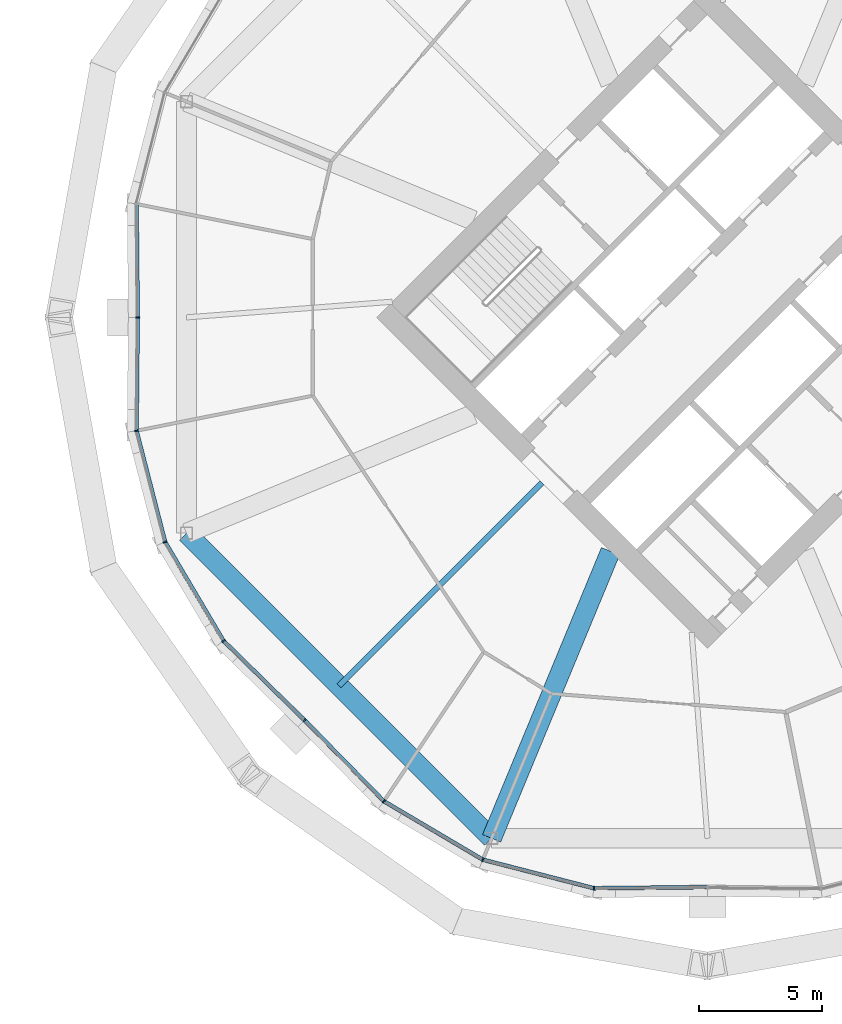
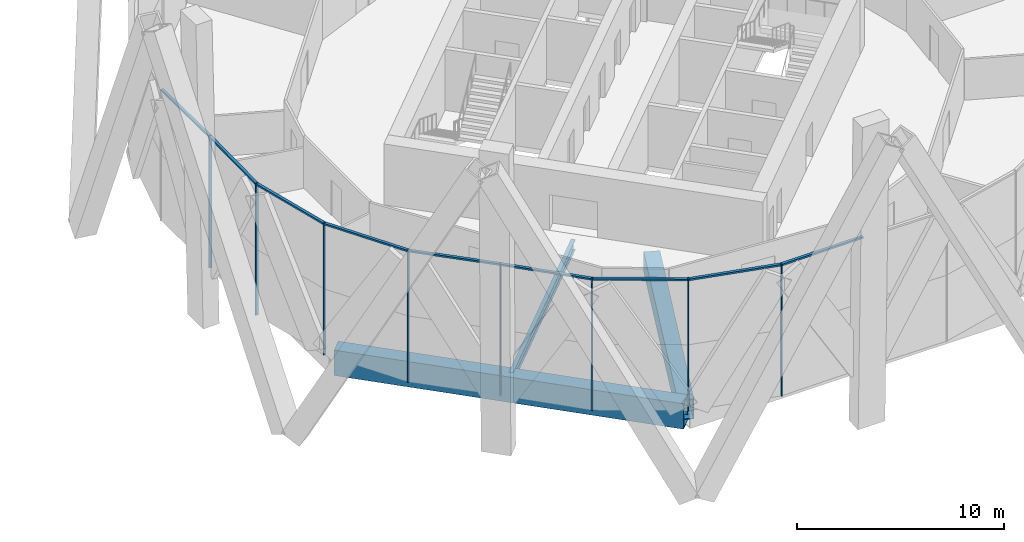
# One storey, part 10 of 31: 17 members, 3 beams, 3 elements without a shape of their own.
"""IFC4 building model written with IfcOpenShell, lengths in metres."""

from ifc_helpers import new_model, si_unit, direction, frame, origin, origin_2d, place, context, subcontext, project, spatial, rectangle, hollow_rectangle, i_section, extrude, material, material_profile, profile_set, type_object, element, aggregate, save


model = new_model("IFC4")

# Units and contexts
model_context = context("Model", 3, precision=1e-05, world=origin(), true_north=direction((0.0, 1.0)))
body_context = subcontext(model_context, "Body", "Model", "MODEL_VIEW")
ifc_project = project(units=[si_unit("LENGTHUNIT", "METRE"), si_unit("AREAUNIT", "SQUARE_METRE"), si_unit("VOLUMEUNIT", "CUBIC_METRE"), si_unit("PLANEANGLEUNIT", "RADIAN"), si_unit("MASSUNIT", "GRAM", prefix="KILO")], contexts=[model_context])

# Site, building, storey
site_placement = place(None, origin())
site = spatial("IfcSite", under=ifc_project, at=site_placement, CompositionType="ELEMENT")
building_placement = place(site_placement, origin())
building = spatial("IfcBuilding", under=site, at=building_placement, Name="Ogive Gate Towers", CompositionType="ELEMENT")
storey_placement = place(building_placement, frame((0.0, 0.0, 55.800048828125)))
storey = spatial("IfcBuildingStorey", under=building, at=storey_placement, Name="L12", CompositionType="ELEMENT", Elevation=55.800048828125)

# Beams
ifc_material_1 = material(Name="Steel SM460", Category="steel")
ifc_material_profile_1 = material_profile(ifc_material_1, hollow_rectangle(XDim=0.800048828125, YDim=1.5, WallThickness=0.06005859375, at=origin_2d()), Name="BX 1500x800x60")
ifc_profile_set_1 = profile_set([ifc_material_profile_1], Name="Steel SM460")
beam_type_1 = type_object("IfcBeamType", Name="Edge girder BX 1500x800x60", PredefinedType="BEAM", material=ifc_profile_set_1)
beam_1_placement = place(storey_placement, frame((14.84326171875, -8.763427734375, -1.050048828125), z_axis=(0.707106781187, -0.707106781187, 0.0), x_axis=(0.707106781187, 0.707106781187, 0.0)))
element("IfcBeam", 1, at=beam_1_placement, inside=storey, type_object=beam_type_1, Name="T2/L12/SBM017", PredefinedType="BEAM", context=body_context, shape_type="SweptSolid", body=[
    extrude(hollow_rectangle(XDim=0.800048828125, YDim=1.5, WallThickness=0.06005859375, at=origin_2d()), origin(), (0.0, 0.0, 1.0), 17.52685546875),
])
ifc_material_2 = material(Name="Steel SM355", Category="steel")
ifc_material_profile_2 = material_profile(ifc_material_2, i_section(OverallWidth=0.219970703125, OverallDepth=0.60009765625, WebThickness=0.011962890625, FlangeThickness=0.01904296875, FilletRadius=0.02392578125, at=origin_2d()), Name="IPE 600")
ifc_profile_set_2 = profile_set([ifc_material_profile_2], Name="Steel SM355")
beam_type_2 = type_object("IfcBeamType", Name="Radial floor beam IPE 600", PredefinedType="BEAM", material=ifc_profile_set_2)
beam_2_placement = place(storey_placement, frame((29.282470703125, -6.717529296875, -0.60009765625), z_axis=(-0.707106781187, -0.707106781187, 0.0), x_axis=(0.707106781187, -0.707106781187, 0.0)))
element("IfcBeam", 2, at=beam_2_placement, inside=storey, type_object=beam_type_2, Name="T2/L12/SBM002", PredefinedType="BEAM", context=body_context, shape_type="SweptSolid", body=[
    extrude(i_section(OverallWidth=0.219970703125, OverallDepth=0.60009765625, WebThickness=0.011962890625, FlangeThickness=0.01904296875, FilletRadius=0.02392578125, at=origin_2d()), origin(), (0.0, 0.0, 1.0), 11.656982421875),
])

# Curtain wall, member
ifc_material_3 = material(Name="Pale metal aluminium", Category="aluminium")
curtain_wall_type = type_object("IfcCurtainWallType", Name="Tower unitised wall, low zone", PredefinedType="NOTDEFINED", material=ifc_material_3)
curtain_wall_1_placement = place(storey_placement, origin())
curtain_wall_1 = element("IfcCurtainWall", 3, at=curtain_wall_1_placement, inside=storey, type_object=curtain_wall_type, Name="CW1 T2 ECW04", PredefinedType="NOTDEFINED")
ifc_material_profile_3 = material_profile(ifc_material_3, rectangle(XDim=0.159912109375, YDim=0.06005859375, at=origin_2d()), Name="60 x 160 aluminium box")
ifc_profile_set_3 = profile_set([ifc_material_profile_3], Name="Pale metal aluminium")
member_type_1 = type_object("IfcMemberType", Name="Tower unitised wall, low zone mullion 60 x 160", PredefinedType="MULLION", material=ifc_profile_set_3)
member_1_placement = place(storey_placement, frame((12.860107421875, 0.000244140625, -0.300048828125), z_axis=(0.0, 0.0, 1.0), x_axis=(-0.999947161375, -0.010279808233, 0.0)))
member_1 = element("IfcMember", 4, at=member_1_placement, type_object=member_type_1, Name="CW1 mullion", PredefinedType="MULLION", context=body_context, shape_type="SweptSolid", body=[
    extrude(rectangle(XDim=0.159912109375, YDim=0.06005859375, at=origin_2d()), origin(), (0.0, 0.0, 1.0), 7.800048828125),
])

# Curtain wall, members
curtain_wall_2_placement = place(storey_placement, origin())
curtain_wall_2 = element("IfcCurtainWall", 5, at=curtain_wall_2_placement, inside=storey, type_object=curtain_wall_type, Name="CW1 T2 ECW05", PredefinedType="NOTDEFINED")
member_2_placement = place(storey_placement, frame((12.8125, -4.606201171875, -0.300048828125), z_axis=(0.0, 0.0, 1.0), x_axis=(-0.992727957326, -0.120379411626, 0.0)))
member_2 = element("IfcMember", 6, at=member_2_placement, type_object=member_type_1, Name="CW1 mullion", PredefinedType="MULLION", context=body_context, shape_type="SweptSolid", body=[
    extrude(rectangle(XDim=0.159912109375, YDim=0.06005859375, at=origin_2d()), origin(), (0.0, 0.0, 1.0), 7.800048828125),
])
member_3_placement = place(storey_placement, frame((13.973876953125, -9.12353515625, -0.300048828125), z_axis=(0.0, 0.0, 1.0), x_axis=(-0.923879532511, -0.382683432365, 0.0)))
member_3 = element("IfcMember", 7, at=member_3_placement, type_object=member_type_1, Name="CW1 mullion", PredefinedType="MULLION", context=body_context, shape_type="SweptSolid", body=[
    extrude(rectangle(XDim=0.159912109375, YDim=0.06005859375, at=origin_2d()), origin(), (0.0, 0.0, 1.0), 7.800048828125),
])
member_4_placement = place(storey_placement, frame((16.346923828125, -13.13916015625, -0.300048828125), z_axis=(0.0, 0.0, 1.0), x_axis=(-0.787085768775, -0.616843572223, 0.0)))
member_4 = element("IfcMember", 8, at=member_4_placement, type_object=member_type_1, Name="CW1 mullion", PredefinedType="MULLION", context=body_context, shape_type="SweptSolid", body=[
    extrude(rectangle(XDim=0.159912109375, YDim=0.06005859375, at=origin_2d()), origin(), (0.0, 0.0, 1.0), 7.800048828125),
])
member_5_placement = place(storey_placement, frame((19.637451171875, -16.3623046875, -0.300048828125), z_axis=(0.0, 0.0, 1.0), x_axis=(-0.699788028863, -0.714350554462, 0.0)))
member_5 = element("IfcMember", 9, at=member_5_placement, type_object=member_type_1, Name="CW1 mullion", PredefinedType="MULLION", context=body_context, shape_type="SweptSolid", body=[
    extrude(rectangle(XDim=0.159912109375, YDim=0.06005859375, at=origin_2d()), origin(), (0.0, 0.0, 1.0), 7.800048828125),
])

curtain_wall_3_placement = place(storey_placement, origin())
curtain_wall_3 = element("IfcCurtainWall", 10, at=curtain_wall_3_placement, inside=storey, type_object=curtain_wall_type, Name="CW1 T2 ECW06", PredefinedType="NOTDEFINED")
member_6_placement = place(storey_placement, frame((22.86083984375, -19.653076171875, -0.300048828125), z_axis=(0.0, 0.0, 1.0), x_axis=(-0.616843572223, -0.787085768775, 0.0)))
member_6 = element("IfcMember", 11, at=member_6_placement, type_object=member_type_1, Name="CW1 mullion", PredefinedType="MULLION", context=body_context, shape_type="SweptSolid", body=[
    extrude(rectangle(XDim=0.159912109375, YDim=0.06005859375, at=origin_2d()), origin(), (0.0, 0.0, 1.0), 7.800048828125),
])
member_7_placement = place(storey_placement, frame((26.87646484375, -22.026123046875, -0.300048828125), z_axis=(0.0, 0.0, 1.0), x_axis=(-0.382683432365, -0.923879532511, 0.0)))
member_7 = element("IfcMember", 12, at=member_7_placement, type_object=member_type_1, Name="CW1 mullion", PredefinedType="MULLION", context=body_context, shape_type="SweptSolid", body=[
    extrude(rectangle(XDim=0.159912109375, YDim=0.06005859375, at=origin_2d()), origin(), (0.0, 0.0, 1.0), 7.800048828125),
])
member_8_placement = place(storey_placement, frame((31.393798828125, -23.1875, -0.300048828125), z_axis=(0.0, 0.0, 1.0), x_axis=(-0.120379411626, -0.992727957326, 0.0)))
member_8 = element("IfcMember", 13, at=member_8_placement, type_object=member_type_1, Name="CW1 mullion", PredefinedType="MULLION", context=body_context, shape_type="SweptSolid", body=[
    extrude(rectangle(XDim=0.159912109375, YDim=0.06005859375, at=origin_2d()), origin(), (0.0, 0.0, 1.0), 7.800048828125),
])

# Member
ifc_material_profile_4 = material_profile(ifc_material_3, rectangle(XDim=0.159912109375, YDim=0.10009765625, at=origin_2d()), Name="100 x 160 aluminium box")
ifc_profile_set_4 = profile_set([ifc_material_profile_4], Name="Pale metal aluminium")
member_type_2 = type_object("IfcMemberType", Name="Tower unitised wall, low zone transom 100 x 160", PredefinedType="USERDEFINED", material=ifc_profile_set_4)
member_9_placement = place(storey_placement, frame((12.81298828125, 4.57861328125, 7.449951171875), z_axis=(0.010251742504, -0.999947449507, 0.0), x_axis=(0.999947449507, 0.010251742504, 0.0)))
member_9 = element("IfcMember", 14, at=member_9_placement, type_object=member_type_2, Name="CW1 transom", ObjectType="TRANSOM", PredefinedType="USERDEFINED", context=body_context, shape_type="SweptSolid", body=[
    extrude(rectangle(XDim=0.159912109375, YDim=0.10009765625, at=origin_2d()), origin(), (0.0, 0.0, 1.0), 4.548583984375),
])

aggregate(curtain_wall_1, [member_1, member_9])

member_10_placement = place(storey_placement, frame((12.859619140625, -0.0302734375, 7.449951171875), z_axis=(-0.010251742504, -0.999947449507, 0.0), x_axis=(0.999947449507, -0.010251742504, 0.0)))
member_10 = element("IfcMember", 15, at=member_10_placement, type_object=member_type_2, Name="CW1 transom", ObjectType="TRANSOM", PredefinedType="USERDEFINED", context=body_context, shape_type="SweptSolid", body=[
    extrude(rectangle(XDim=0.159912109375, YDim=0.10009765625, at=origin_2d()), origin(), (0.0, 0.0, 1.0), 4.548583984375),
])

member_11_placement = place(storey_placement, frame((12.8193359375, -4.632568359375, 7.449951171875), z_axis=(0.249022588577, -0.968497677012, 0.0), x_axis=(0.968497677012, 0.249022588577, 0.0)))
member_11 = element("IfcMember", 16, at=member_11_placement, type_object=member_type_2, Name="CW1 transom", ObjectType="TRANSOM", PredefinedType="USERDEFINED", context=body_context, shape_type="SweptSolid", body=[
    extrude(rectangle(XDim=0.159912109375, YDim=0.10009765625, at=origin_2d()), origin(), (0.0, 0.0, 1.0), 4.60986328125),
])

member_12_placement = place(storey_placement, frame((13.98779296875, -9.14697265625, 7.449951171875), z_axis=(0.508798898164, -0.860885405398, 0.0), x_axis=(0.860885405398, 0.508798898164, 0.0)))
member_12 = element("IfcMember", 17, at=member_12_placement, type_object=member_type_2, Name="CW1 transom", ObjectType="TRANSOM", PredefinedType="USERDEFINED", context=body_context, shape_type="SweptSolid", body=[
    extrude(rectangle(XDim=0.159912109375, YDim=0.10009765625, at=origin_2d()), origin(), (0.0, 0.0, 1.0), 4.60986328125),
])

member_13_placement = place(storey_placement, frame((16.36669921875, -13.158203125, 7.449951171875), z_axis=(0.714342153972, -0.699796604064, 0.0), x_axis=(0.699796604064, 0.714342153972, 0.0)))
member_13 = element("IfcMember", 18, at=member_13_placement, type_object=member_type_2, Name="CW1 transom", ObjectType="TRANSOM", PredefinedType="USERDEFINED", context=body_context, shape_type="SweptSolid", body=[
    extrude(rectangle(XDim=0.159912109375, YDim=0.10009765625, at=origin_2d()), origin(), (0.0, 0.0, 1.0), 4.548583984375),
])

aggregate(curtain_wall_2, [member_2, member_10, member_3, member_11, member_4, member_12, member_5, member_13])

member_14_placement = place(storey_placement, frame((19.65869140625, -16.384033203125, 7.449951171875), z_axis=(0.699796604064, -0.714342153972, 0.0), x_axis=(0.714342153972, 0.699796604064, 0.0)))
member_14 = element("IfcMember", 19, at=member_14_placement, type_object=member_type_2, Name="CW1 transom", ObjectType="TRANSOM", PredefinedType="USERDEFINED", context=body_context, shape_type="SweptSolid", body=[
    extrude(rectangle(XDim=0.159912109375, YDim=0.10009765625, at=origin_2d()), origin(), (0.0, 0.0, 1.0), 4.548583984375),
])

member_15_placement = place(storey_placement, frame((22.884521484375, -19.666748046875, 7.449951171875), z_axis=(0.860885405398, -0.508798898164, 0.0), x_axis=(0.508798898164, 0.860885405398, 0.0)))
member_15 = element("IfcMember", 20, at=member_15_placement, type_object=member_type_2, Name="CW1 transom", ObjectType="TRANSOM", PredefinedType="USERDEFINED", context=body_context, shape_type="SweptSolid", body=[
    extrude(rectangle(XDim=0.159912109375, YDim=0.10009765625, at=origin_2d()), origin(), (0.0, 0.0, 1.0), 4.60986328125),
])

member_16_placement = place(storey_placement, frame((26.90283203125, -22.03271484375, 7.449951171875), z_axis=(0.968497677012, -0.249022588577, 0.0), x_axis=(0.249022588577, 0.968497677012, 0.0)))
member_16 = element("IfcMember", 21, at=member_16_placement, type_object=member_type_2, Name="CW1 transom", ObjectType="TRANSOM", PredefinedType="USERDEFINED", context=body_context, shape_type="SweptSolid", body=[
    extrude(rectangle(XDim=0.159912109375, YDim=0.10009765625, at=origin_2d()), origin(), (0.0, 0.0, 1.0), 4.60986328125),
])

member_17_placement = place(storey_placement, frame((31.42138671875, -23.18701171875, 7.449951171875), z_axis=(0.999947449507, 0.010251742504, 0.0), x_axis=(-0.010251742504, 0.999947449507, 0.0)))
member_17 = element("IfcMember", 22, at=member_17_placement, type_object=member_type_2, Name="CW1 transom", ObjectType="TRANSOM", PredefinedType="USERDEFINED", context=body_context, shape_type="SweptSolid", body=[
    extrude(rectangle(XDim=0.159912109375, YDim=0.10009765625, at=origin_2d()), origin(), (0.0, 0.0, 1.0), 4.548583984375),
])

aggregate(curtain_wall_3, [member_6, member_14, member_7, member_15, member_8, member_16, member_17])

# Beam
ifc_material_profile_5 = material_profile(ifc_material_1, hollow_rectangle(XDim=0.800048828125, YDim=1.199951171875, WallThickness=0.050048828125, at=origin_2d()), Name="BX 1200x800x50")
ifc_profile_set_5 = profile_set([ifc_material_profile_5], Name="Steel SM460")
beam_type_3 = type_object("IfcBeamType", Name="Transfer radial beam BX 1200x800x50", PredefinedType="BEAM", material=ifc_profile_set_5)
beam_3_placement = place(storey_placement, frame((32.06494140625, -9.5, -0.900146484375), z_axis=(-0.382682759347, -0.923879811284, 0.0), x_axis=(0.923879811284, -0.382682759347, 0.0)))
element("IfcBeam", 23, at=beam_3_placement, inside=storey, type_object=beam_type_3, Name="T2/L12/SBM003", PredefinedType="BEAM", context=body_context, shape_type="SweptSolid", body=[
    extrude(hollow_rectangle(XDim=0.800048828125, YDim=1.199951171875, WallThickness=0.050048828125, at=origin_2d()), origin(), (0.0, 0.0, 1.0), 12.6171875),
])

save(model, "model.ifc")
